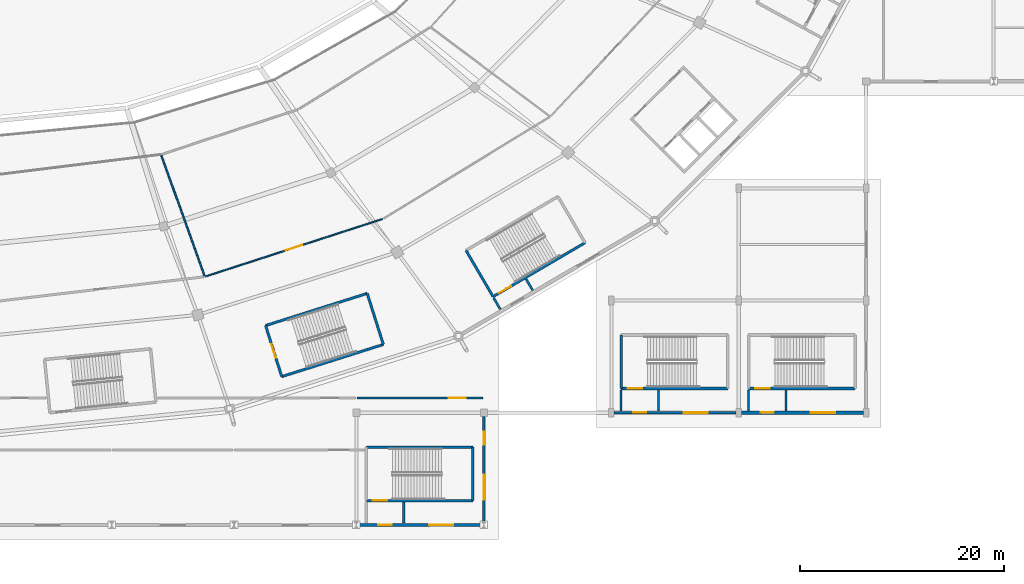
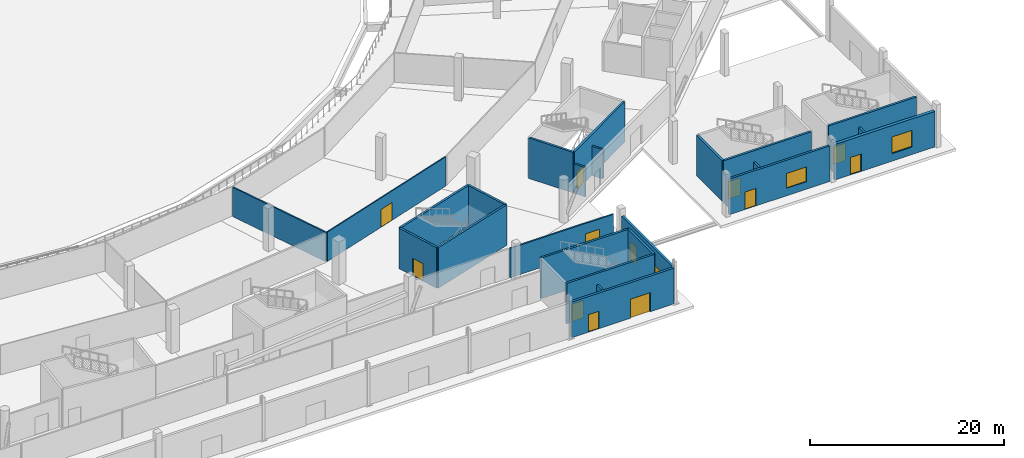
# One storey, part 43 of 82: 26 walls, 13 doors, 2 windows, 15 openings.
"""IFC4 building model written with IfcOpenShell, lengths in metres."""

import ifcopenshell
import ifcopenshell.guid

model = None  # the IFC model being written
_history = None  # IfcOwnerHistory: only IFC2X3 demands one
_inside = {}  # id of a spatial element -> (the spatial element, [elements in it])
_under = {}  # id of a project, library or spatial element -> (it, [spatial elements below it])
_declared = {}  # id of a project -> (the project, [libraries it declares])
_typed = {}  # id of a type object -> (the type object, [elements of that type])
_made_of = {}  # id of a material, layer set ... -> (it, [elements and type objects made of it])


def new_model(schema):
    """Start an empty IFC model of exactly this schema.

    Asked for "IFC4X3", IfcOpenShell would pick the latest addendum, in which some entities
    have other attributes; the version numbers below select the first issue.
    IFC2X3 requires an IfcOwnerHistory on every rooted entity: one is made here for all.
    """
    global model, _history
    if schema == "IFC4X3":
        model = ifcopenshell.file(schema_version=(4, 3, 0, 0))
    else:
        model = ifcopenshell.file(schema=schema)
    _inside.clear()
    _under.clear()
    _declared.clear()
    _typed.clear()
    _made_of.clear()
    _history = None
    if model.schema == "IFC2X3":
        org = make("IfcOrganization", Name="unknown")
        user = make(
            "IfcPersonAndOrganization",
            ThePerson=make("IfcPerson", FamilyName="unknown"),
            TheOrganization=org,
        )
        app = make(
            "IfcApplication",
            ApplicationDeveloper=org,
            Version="unknown",
            ApplicationFullName="unknown",
            ApplicationIdentifier="unknown",
        )
        _history = make(
            "IfcOwnerHistory",
            OwningUser=user,
            OwningApplication=app,
            ChangeAction="ADDED",
            CreationDate=0,
        )
    return model


def make(cls, **values):
    """One entity of the class cls with the attributes given. An attribute that is None is left unset."""
    return model.create_entity(
        cls, **{name: value for name, value in values.items() if value is not None}
    )


def rooted(cls, **values):
    """An entity with a GlobalId (a new one), such as an element, a storey or a relation."""
    return make(cls, GlobalId=ifcopenshell.guid.new(), OwnerHistory=_history, **values)


def si_unit(unit_type, name, prefix=None):
    """IfcSIUnit, for example si_unit("LENGTHUNIT", "METRE", prefix="MILLI")."""
    return make("IfcSIUnit", UnitType=unit_type, Prefix=prefix, Name=name)


def assignment(units):
    """IfcUnitAssignment: the units of a project."""
    return None if units is None else make("IfcUnitAssignment", Units=units)


def point(xyz):
    """IfcCartesianPoint."""
    return None if xyz is None else make("IfcCartesianPoint", Coordinates=xyz)


def direction(xyz):
    """IfcDirection."""
    return None if xyz is None else make("IfcDirection", DirectionRatios=xyz)


def frame(location, z_axis=None, x_axis=None):
    """IfcAxis2Placement3D, a coordinate frame: its origin and axes. An axis left out is left unset."""
    return make(
        "IfcAxis2Placement3D",
        Location=point(location),
        Axis=direction(z_axis),
        RefDirection=direction(x_axis),
    )


def frame_2d(location, x_axis=None):
    """IfcAxis2Placement2D, a coordinate frame in the plane: its origin and x axis."""
    return make(
        "IfcAxis2Placement2D", Location=point(location), RefDirection=direction(x_axis)
    )


def origin():
    """The frame at (0, 0, 0) with its axes left unset."""
    return frame((0.0, 0.0, 0.0))


def place(relative_to, where):
    """IfcLocalPlacement: puts the frame where relative to a parent placement (None: the world)."""
    return make(
        "IfcLocalPlacement", PlacementRelTo=relative_to, RelativePlacement=where
    )


def context(
    kind, dimensions, precision=None, world=None, true_north=None, identifier=None
):
    """IfcGeometricRepresentationContext, for example the 3D "Model" context."""
    return make(
        "IfcGeometricRepresentationContext",
        ContextIdentifier=identifier,
        ContextType=kind,
        CoordinateSpaceDimension=dimensions,
        Precision=precision,
        WorldCoordinateSystem=world,
        TrueNorth=true_north,
    )


def subcontext(parent, identifier, kind, view, scale=None):
    """IfcGeometricRepresentationSubContext, for example "Body" below "Model"."""
    return make(
        "IfcGeometricRepresentationSubContext",
        ContextIdentifier=identifier,
        ContextType=kind,
        ParentContext=parent,
        TargetScale=scale,
        TargetView=view,
    )


def project(units=None, contexts=None):
    """IfcProject with its units and contexts."""
    return rooted(
        "IfcProject",
        Name="project",
        RepresentationContexts=contexts,
        UnitsInContext=assignment(units),
    )


def spatial(cls, under=None, at=None, **own):
    """A site, building, storey or space (cls), placed at a placement, below another one or the project."""
    s = rooted(cls, ObjectPlacement=at, **own)
    if under is not None:
        _under.setdefault(under.id(), (under, []))[1].append(s)
    return s


def profile(cls, at=None, kind="AREA", **sizes):
    """A parametric profile (cls). Its sizes go by their IFC names, for example OverallWidth=200.0."""
    return make(cls, ProfileType=kind, Position=at, **sizes)


def rectangle(**sizes):
    """IfcRectangleProfileDef."""
    return profile("IfcRectangleProfileDef", **sizes)


def extrude(swept, where, along, depth):
    """IfcExtrudedAreaSolid: the profile swept, set in the frame where, extruded along a direction by depth."""
    return make(
        "IfcExtrudedAreaSolid",
        SweptArea=swept,
        Position=where,
        ExtrudedDirection=direction(along),
        Depth=depth,
    )


def shape(context_of_items, identifier, shape_type, items):
    """IfcShapeRepresentation: the items that make up one representation, for example the "Body"."""
    return make(
        "IfcShapeRepresentation",
        ContextOfItems=context_of_items,
        RepresentationIdentifier=identifier,
        RepresentationType=shape_type,
        Items=items,
    )


def material(Name=None, Category=None):
    """IfcMaterial."""
    return make("IfcMaterial", Name=Name, Category=Category)


def layer(
    of_material, thickness, ventilated=None, Name=None, Category=None, Priority=None
):
    """IfcMaterialLayer: one layer of a wall or slab, of a material (None: an air gap)."""
    return make(
        "IfcMaterialLayer",
        Material=of_material,
        LayerThickness=thickness,
        IsVentilated=ventilated,
        Name=Name,
        Category=Category,
        Priority=Priority,
    )


def layer_set(layers, Name=None):
    """IfcMaterialLayerSet."""
    return make("IfcMaterialLayerSet", MaterialLayers=layers, LayerSetName=Name)


def made_of(thing, what):
    """Note that an element or type object is made of a material, layer set ...; save() writes the relation."""
    if what is not None:
        _made_of.setdefault(what.id(), (what, []))[1].append(thing)
    return thing


def type_object(cls, material=None, **own):
    """A type object (cls), such as IfcWallType, which elements share."""
    return made_of(rooted(cls, **own), material)


def element(
    cls,
    number,
    at=None,
    inside=None,
    cuts=None,
    type_object=None,
    material=None,
    context=None,
    identifier="Body",
    shape_type=None,
    held_by="IfcProductDefinitionShape",
    body=None,
    shapes=None,
    **own,
):
    """One element of the class cls, such as IfcWall. Its Tag is "e" and its number.

    at: its placement. inside: the storey or other place that contains it. cuts: it is an
    opening in that element (IfcRelVoidsElement). A single representation is given by context,
    identifier, shape_type and body (its items); several are given by shapes. held_by: the class
    of the entity that holds the representations. save() writes the other relations.
    """
    e = rooted(cls, Tag="e%d" % number, ObjectPlacement=at, **own)
    if body is not None:
        shapes = [shape(context, identifier, shape_type, body)]
    if shapes is not None:
        e.Representation = make(held_by, Representations=shapes)
    if inside is not None:
        _inside.setdefault(inside.id(), (inside, []))[1].append(e)
    if cuts is not None:
        rooted(
            "IfcRelVoidsElement", RelatingBuildingElement=cuts, RelatedOpeningElement=e
        )
    if type_object is not None:
        _typed.setdefault(type_object.id(), (type_object, []))[1].append(e)
    return made_of(e, material)


def fill(opening, filler):
    """IfcRelFillsElement: the door or window that sits in an opening."""
    return rooted(
        "IfcRelFillsElement",
        RelatingOpeningElement=opening,
        RelatedBuildingElement=filler,
    )


def aggregate(whole, parts):
    """IfcRelAggregates: a whole, such as a stair, and the parts it consists of."""
    return rooted("IfcRelAggregates", RelatingObject=whole, RelatedObjects=parts)


def save(model, path):
    """Write the relations noted so far, then the file.

    IfcRelAggregates (storeys below a building ...), IfcRelContainedInSpatialStructure (elements
    in a storey), IfcRelDefinesByType, IfcRelAssociatesMaterial and IfcRelDeclares: one each for
    every whole, place, type object, material and project.
    """
    for whole, parts in _under.values():
        aggregate(whole, parts)
    for where, things in _inside.values():
        rooted(
            "IfcRelContainedInSpatialStructure",
            RelatedElements=things,
            RelatingStructure=where,
        )
    for kind, things in _typed.values():
        rooted("IfcRelDefinesByType", RelatedObjects=things, RelatingType=kind)
    for what, things in _made_of.values():
        rooted("IfcRelAssociatesMaterial", RelatedObjects=things, RelatingMaterial=what)
    for by, libraries in _declared.values():
        rooted("IfcRelDeclares", RelatingContext=by, RelatedDefinitions=libraries)
    model.write(path)


model = new_model("IFC4")

# Units and contexts
model_context = context("Model", 3, precision=1e-05, world=origin(), true_north=direction((0.0, 1.0)))
body_context = subcontext(model_context, "Body", "Model", "MODEL_VIEW")
ifc_project = project(units=[si_unit("LENGTHUNIT", "METRE"), si_unit("AREAUNIT", "SQUARE_METRE"), si_unit("VOLUMEUNIT", "CUBIC_METRE"), si_unit("PLANEANGLEUNIT", "RADIAN"), si_unit("MASSUNIT", "GRAM", prefix="KILO")], contexts=[model_context])

# Site, building, storey
site_placement = place(None, origin())
site = spatial("IfcSite", under=ifc_project, at=site_placement, CompositionType="ELEMENT")
building_placement = place(site_placement, origin())
building = spatial("IfcBuilding", under=site, at=building_placement, Name="Zlatoyarsky Gate Stadium", CompositionType="ELEMENT")
storey_placement = place(building_placement, origin())
storey = spatial("IfcBuildingStorey", under=building, at=storey_placement, Name="L00", CompositionType="ELEMENT", Elevation=0.0)

# Wall
ifc_material_1 = material(Name="Concrete C40/50", Category="concrete")
ifc_layer_1 = layer(ifc_material_1, 0.25)
ifc_layer_set_1 = layer_set([ifc_layer_1], Name="Concrete C40/50")
wall_type_1 = type_object("IfcWallType", Name="CONCRETE STAIR CORE SHEAR WALL 250", PredefinedType="SHEAR", material=ifc_layer_set_1)
wall_1_placement = place(storey_placement, frame((158.25341796875, 26.916015625, 0.0), z_axis=(0.0, 0.0, 1.0), x_axis=(0.505460490551, -0.862849750821, 0.0)))
element("IfcWall", 1, at=wall_1_placement, inside=storey, type_object=wall_type_1, Name="ST-11 L00 stair core entrance shear wall", PredefinedType="SHEAR", context=body_context, shape_type="SweptSolid", body=[
    extrude(rectangle(XDim=5.249755859375, YDim=0.25, at=frame_2d((2.625, 0.0))), origin(), (0.0, 0.0, 1.0), 5.10009765625),
])

# Wall, opening, door
wall_2_placement = place(storey_placement, frame((160.906982421875, 22.38623046875, 0.0), z_axis=(0.0, 0.0, 1.0), x_axis=(0.862854686184, 0.505452065513, 0.0)))
wall_2 = element("IfcWall", 2, at=wall_2_placement, inside=storey, type_object=wall_type_1, Name="ST-11 L00 stair core left shear wall", PredefinedType="SHEAR", context=body_context, shape_type="SweptSolid", body=[
    extrude(rectangle(XDim=10.449951171875, YDim=0.25, at=frame_2d((5.22509765625, 0.0))), origin(), (0.0, 0.0, 1.0), 5.10009765625),
])
opening_1_placement = place(wall_2_placement, frame((0.64990234375, 0.0, 0.0)))
opening_1 = element("IfcOpeningElement", 3, at=opening_1_placement, cuts=wall_2, Name="Opening SD-ST-11-L00", PredefinedType="OPENING", context=body_context, shape_type="SweptSolid", body=[
    extrude(rectangle(XDim=1.39990234375, YDim=2.199951171875, at=frame_2d((0.699951171875, 1.10009765625))), frame((0.0, 0.135009765625, 0.0), z_axis=(0.0, -1.0, 0.0), x_axis=(1.0, 0.0, 0.0)), (0.0, 0.0, 1.0), 0.27001953125),
])
ifc_material_2 = material(Name="Powder-coated steel fire door", Category="steel")
door_type_1 = type_object("IfcDoorType", Name="STAIR CORE FIRE EXIT DOOR 1400X2200", OperationType="NOTDEFINED", PredefinedType="DOOR", material=ifc_material_2)
door_1_placement = place(opening_1_placement, frame((1.39990234375, 0.0, 0.0), z_axis=(0.0, 0.0, 1.0), x_axis=(-1.0, 0.0, 0.0)))
door_1 = element("IfcDoor", 4, at=door_1_placement, inside=storey, type_object=door_type_1, Name="ST-11 L00 protected exit discharge fire door", OperationType="SINGLE_SWING_RIGHT", OverallHeight=2.199951171875, OverallWidth=1.39990234375, PredefinedType="DOOR", context=body_context, shape_type="SweptSolid", body=[
    extrude(rectangle(XDim=1.39990234375, YDim=2.199951171875, at=frame_2d((0.699951171875, 1.10009765625))), frame((0.0, 0.02490234375, 0.0), z_axis=(0.0, -1.0, 0.0), x_axis=(1.0, 0.0, 0.0)), (0.0, 0.0, 1.0), 0.050048828125),
])
fill(opening_1, door_1)

wall_3_placement = place(storey_placement, frame((138.599609375, 19.5478515625, 0.0), z_axis=(0.0, 0.0, 1.0), x_axis=(0.30152749866, -0.953457480726, 0.0)))
wall_3 = element("IfcWall", 5, at=wall_3_placement, inside=storey, type_object=wall_type_1, Name="ST-16 L00 stair core entrance shear wall", PredefinedType="SHEAR", context=body_context, shape_type="SweptSolid", body=[
    extrude(rectangle(XDim=5.25, YDim=0.25, at=frame_2d((2.625, 0.0))), origin(), (0.0, 0.0, 1.0), 5.10009765625),
])
opening_2_placement = place(wall_3_placement, frame((1.925048828125, 0.0, 0.0)))
opening_2 = element("IfcOpeningElement", 6, at=opening_2_placement, cuts=wall_3, Name="Opening SD-ST-16-L00", PredefinedType="OPENING", context=body_context, shape_type="SweptSolid", body=[
    extrude(rectangle(XDim=1.39990234375, YDim=2.199951171875, at=frame_2d((0.699951171875, 1.10009765625))), frame((0.0, 0.135009765625, 0.0), z_axis=(0.0, -1.0, 0.0), x_axis=(1.0, 0.0, 0.0)), (0.0, 0.0, 1.0), 0.27001953125),
])
door_2_placement = place(opening_2_placement, frame((1.39990234375, 0.0, 0.0), z_axis=(0.0, 0.0, 1.0), x_axis=(-1.0, 0.0, 0.0)))
door_2 = element("IfcDoor", 7, at=door_2_placement, inside=storey, type_object=door_type_1, Name="ST-16 L00 stair fire door", OperationType="SINGLE_SWING_RIGHT", OverallHeight=2.199951171875, OverallWidth=1.39990234375, PredefinedType="DOOR", context=body_context, shape_type="SweptSolid", body=[
    extrude(rectangle(XDim=1.39990234375, YDim=2.199951171875, at=frame_2d((0.699951171875, 1.10009765625))), frame((0.0, 0.02490234375, 0.0), z_axis=(0.0, -1.0, 0.0), x_axis=(1.0, 0.0, 0.0)), (0.0, 0.0, 1.0), 0.050048828125),
])
fill(opening_2, door_2)

# Walls
wall_4_placement = place(storey_placement, frame((140.1826171875, 14.542236328125, 0.0), z_axis=(0.0, 0.0, 1.0), x_axis=(0.953459710305, 0.301520448438, 0.0)))
element("IfcWall", 8, at=wall_4_placement, inside=storey, type_object=wall_type_1, Name="ST-16 L00 stair core left shear wall", PredefinedType="SHEAR", context=body_context, shape_type="SweptSolid", body=[
    extrude(rectangle(XDim=10.449951171875, YDim=0.25, at=frame_2d((5.22509765625, 0.0))), origin(), (0.0, 0.0, 1.0), 5.10009765625),
])
wall_5_placement = place(storey_placement, frame((150.146240234375, 17.693115234375, 0.0), z_axis=(0.0, 0.0, 1.0), x_axis=(-0.30152749866, 0.953457480726, 0.0)))
element("IfcWall", 9, at=wall_5_placement, inside=storey, type_object=wall_type_1, Name="ST-16 L00 stair core far shear wall", PredefinedType="SHEAR", context=body_context, shape_type="SweptSolid", body=[
    extrude(rectangle(XDim=5.25, YDim=0.25, at=frame_2d((2.625, 0.0))), origin(), (0.0, 0.0, 1.0), 5.10009765625),
])
wall_6_placement = place(storey_placement, frame((148.563232421875, 22.69873046875, 0.0), z_axis=(0.0, 0.0, 1.0), x_axis=(-0.953459710305, -0.301520448438, 0.0)))
element("IfcWall", 10, at=wall_6_placement, inside=storey, type_object=wall_type_1, Name="ST-16 L00 stair core right shear wall", PredefinedType="SHEAR", context=body_context, shape_type="SweptSolid", body=[
    extrude(rectangle(XDim=10.449951171875, YDim=0.25, at=frame_2d((5.22509765625, 0.0))), origin(), (0.0, 0.0, 1.0), 5.10009765625),
])
wall_7_placement = place(storey_placement, frame((173.47509765625, 18.625, 0.0), z_axis=(0.0, 0.0, 1.0), x_axis=(0.0, -1.0, 0.0)))
element("IfcWall", 11, at=wall_7_placement, inside=storey, type_object=wall_type_1, Name="ST-23 L00 stair core entrance shear wall", PredefinedType="SHEAR", context=body_context, shape_type="SweptSolid", body=[
    extrude(rectangle(XDim=5.25, YDim=0.25, at=frame_2d((2.625, 0.0))), origin(), (0.0, 0.0, 1.0), 5.10009765625),
])

# Wall, opening, door
wall_8_placement = place(storey_placement, frame((173.47509765625, 13.375, 0.0), z_axis=(0.0, 0.0, 1.0), x_axis=(1.0, 0.0, 0.0)))
wall_8 = element("IfcWall", 12, at=wall_8_placement, inside=storey, type_object=wall_type_1, Name="ST-23 L00 stair core left shear wall", PredefinedType="SHEAR", context=body_context, shape_type="SweptSolid", body=[
    extrude(rectangle(XDim=10.449951171875, YDim=0.25, at=frame_2d((5.22509765625, 0.0))), origin(), (0.0, 0.0, 1.0), 5.10009765625),
])
opening_3_placement = place(wall_8_placement, frame((0.64990234375, 0.0, 0.0)))
opening_3 = element("IfcOpeningElement", 13, at=opening_3_placement, cuts=wall_8, Name="Opening SD-ST-23-L00", PredefinedType="OPENING", context=body_context, shape_type="SweptSolid", body=[
    extrude(rectangle(XDim=1.39990234375, YDim=2.199951171875, at=frame_2d((0.699951171875, 1.10009765625))), frame((0.0, 0.135009765625, 0.0), z_axis=(0.0, -1.0, 0.0), x_axis=(1.0, 0.0, 0.0)), (0.0, 0.0, 1.0), 0.27001953125),
])
door_3_placement = place(opening_3_placement, frame((1.39990234375, 0.0, 0.0), z_axis=(0.0, 0.0, 1.0), x_axis=(-1.0, 0.0, 0.0)))
door_3 = element("IfcDoor", 14, at=door_3_placement, inside=storey, type_object=door_type_1, Name="ST-23 L00 protected exit discharge fire door", OperationType="SINGLE_SWING_RIGHT", OverallHeight=2.199951171875, OverallWidth=1.39990234375, PredefinedType="DOOR", context=body_context, shape_type="SweptSolid", body=[
    extrude(rectangle(XDim=1.39990234375, YDim=2.199951171875, at=frame_2d((0.699951171875, 1.10009765625))), frame((0.0, 0.02490234375, 0.0), z_axis=(0.0, -1.0, 0.0), x_axis=(1.0, 0.0, 0.0)), (0.0, 0.0, 1.0), 0.050048828125),
])
fill(opening_3, door_3)

wall_9_placement = place(storey_placement, frame((185.97509765625, 13.375, 0.0), z_axis=(0.0, 0.0, 1.0), x_axis=(1.0, 0.0, 0.0)))
wall_9 = element("IfcWall", 15, at=wall_9_placement, inside=storey, type_object=wall_type_1, Name="ST-24 L00 stair core left shear wall", PredefinedType="SHEAR", context=body_context, shape_type="SweptSolid", body=[
    extrude(rectangle(XDim=10.449951171875, YDim=0.25, at=frame_2d((5.22509765625, 0.0))), origin(), (0.0, 0.0, 1.0), 5.10009765625),
])
opening_4_placement = place(wall_9_placement, frame((0.64990234375, 0.0, 0.0)))
opening_4 = element("IfcOpeningElement", 16, at=opening_4_placement, cuts=wall_9, Name="Opening SD-ST-24-L00", PredefinedType="OPENING", context=body_context, shape_type="SweptSolid", body=[
    extrude(rectangle(XDim=1.39990234375, YDim=2.199951171875, at=frame_2d((0.699951171875, 1.10009765625))), frame((0.0, 0.135009765625, 0.0), z_axis=(0.0, -1.0, 0.0), x_axis=(1.0, 0.0, 0.0)), (0.0, 0.0, 1.0), 0.27001953125),
])
door_4_placement = place(opening_4_placement, frame((1.39990234375, 0.0, 0.0), z_axis=(0.0, 0.0, 1.0), x_axis=(-1.0, 0.0, 0.0)))
door_4 = element("IfcDoor", 17, at=door_4_placement, inside=storey, type_object=door_type_1, Name="ST-24 L00 protected exit discharge fire door", OperationType="SINGLE_SWING_LEFT", OverallHeight=2.199951171875, OverallWidth=1.39990234375, PredefinedType="DOOR", context=body_context, shape_type="SweptSolid", body=[
    extrude(rectangle(XDim=1.39990234375, YDim=2.199951171875, at=frame_2d((0.699951171875, 1.10009765625))), frame((0.0, 0.02490234375, 0.0), z_axis=(0.0, -1.0, 0.0), x_axis=(1.0, 0.0, 0.0)), (0.0, 0.0, 1.0), 0.050048828125),
])
fill(opening_4, door_4)

wall_10_placement = place(storey_placement, frame((148.47509765625, 2.375, 0.0), z_axis=(0.0, 0.0, 1.0), x_axis=(1.0, 0.0, 0.0)))
wall_10 = element("IfcWall", 18, at=wall_10_placement, inside=storey, type_object=wall_type_1, Name="ST-30 L00 stair core left shear wall", PredefinedType="SHEAR", context=body_context, shape_type="SweptSolid", body=[
    extrude(rectangle(XDim=10.449951171875, YDim=0.25, at=frame_2d((5.22509765625, 0.0))), origin(), (0.0, 0.0, 1.0), 5.10009765625),
])
opening_5_placement = place(wall_10_placement, frame((0.64990234375, 0.0, 0.0)))
opening_5 = element("IfcOpeningElement", 19, at=opening_5_placement, cuts=wall_10, Name="Opening SD-ST-30-L00", PredefinedType="OPENING", context=body_context, shape_type="SweptSolid", body=[
    extrude(rectangle(XDim=1.39990234375, YDim=2.199951171875, at=frame_2d((0.699951171875, 1.10009765625))), frame((0.0, 0.135009765625, 0.0), z_axis=(0.0, -1.0, 0.0), x_axis=(1.0, 0.0, 0.0)), (0.0, 0.0, 1.0), 0.27001953125),
])
door_5_placement = place(opening_5_placement, frame((1.39990234375, 0.0, 0.0), z_axis=(0.0, 0.0, 1.0), x_axis=(-1.0, 0.0, 0.0)))
door_5 = element("IfcDoor", 20, at=door_5_placement, inside=storey, type_object=door_type_1, Name="ST-30 L00 protected exit discharge fire door", OperationType="SINGLE_SWING_RIGHT", OverallHeight=2.199951171875, OverallWidth=1.39990234375, PredefinedType="DOOR", context=body_context, shape_type="SweptSolid", body=[
    extrude(rectangle(XDim=1.39990234375, YDim=2.199951171875, at=frame_2d((0.699951171875, 1.10009765625))), frame((0.0, 0.02490234375, 0.0), z_axis=(0.0, -1.0, 0.0), x_axis=(1.0, 0.0, 0.0)), (0.0, 0.0, 1.0), 0.050048828125),
])
fill(opening_5, door_5)

# Walls
wall_11_placement = place(storey_placement, frame((158.925048828125, 2.375, 0.0), z_axis=(0.0, 0.0, 1.0), x_axis=(0.0, 1.0, 0.0)))
element("IfcWall", 21, at=wall_11_placement, inside=storey, type_object=wall_type_1, Name="ST-30 L00 stair core far shear wall", PredefinedType="SHEAR", context=body_context, shape_type="SweptSolid", body=[
    extrude(rectangle(XDim=5.25, YDim=0.25, at=frame_2d((2.625, 0.0))), origin(), (0.0, 0.0, 1.0), 5.10009765625),
])
wall_12_placement = place(storey_placement, frame((158.925048828125, 7.625, 0.0), z_axis=(0.0, 0.0, 1.0), x_axis=(-1.0, 0.0, 0.0)))
element("IfcWall", 22, at=wall_12_placement, inside=storey, type_object=wall_type_1, Name="ST-30 L00 stair core right shear wall", PredefinedType="SHEAR", context=body_context, shape_type="SweptSolid", body=[
    extrude(rectangle(XDim=10.449951171875, YDim=0.25, at=frame_2d((5.22509765625, 0.0))), origin(), (0.0, 0.0, 1.0), 5.10009765625),
])
ifc_material_3 = material(Name="Autoclaved aerated concrete masonry EI 120", Category="masonry")
ifc_layer_2 = layer(ifc_material_3, 0.219970703125)
ifc_layer_set_2 = layer_set([ifc_layer_2], Name="Autoclaved aerated concrete masonry EI 120")
wall_type_2 = type_object("IfcWallType", Name="FIREFIGHTING LOBBY RATED WALL 220", PredefinedType="PARTITIONING", material=ifc_layer_set_2)
for number, where, z_axis, x_axis, name in (
    (23, (160.96240234375, 22.26220703125, 0.0), (0.0, 0.0, 1.0), (0.505393167511, -0.862889185373, 0.0), "ST-11 L00 protected exit lobby EI 120 wall 1"),
    (24, (164.1376953125, 24.122314453125, 0.0), (0.0, 0.0, 1.0), (0.505393167511, -0.862889185373, 0.0), "ST-11 L00 protected exit lobby EI 120 wall 2"),
):
    element("IfcWall", number, at=place(storey_placement, frame(where, z_axis=z_axis, x_axis=x_axis)), inside=storey, type_object=wall_type_2, Name=name, PredefinedType="PARTITIONING", context=body_context, shape_type="SweptSolid", body=[
        extrude(rectangle(XDim=1.3056640625, YDim=0.219970703125, at=frame_2d((0.65283203125, 0.0))), origin(), (0.0, 0.0, 1.0), 3.68994140625),
    ])
for number, where, z_axis, x_axis, name in (
    (25, (173.4599609375, 11.18994140625, 0.0), (0.0, 0.0, 1.0), (0.0, 1.0, 0.0), "ST-23 L00 protected exit lobby EI 120 wall 1"),
    (26, (177.139892578125, 11.18994140625, 0.0), (0.0, 0.0, 1.0), (0.0, 1.0, 0.0), "ST-23 L00 protected exit lobby EI 120 wall 2"),
    (27, (185.9599609375, 11.18994140625, 0.0), (0.0, 0.0, 1.0), (0.0, 1.0, 0.0), "ST-24 L00 protected exit lobby EI 120 wall 1"),
    (28, (189.639892578125, 11.18994140625, 0.0), (0.0, 0.0, 1.0), (0.0, 1.0, 0.0), "ST-24 L00 protected exit lobby EI 120 wall 2"),
    (29, (152.139892578125, 0.18994140625, 0.0), (0.0, 0.0, 1.0), (0.0, 1.0, 0.0), "ST-30 L00 protected exit lobby EI 120 wall 2"),
):
    element("IfcWall", number, at=place(storey_placement, frame(where, z_axis=z_axis, x_axis=x_axis)), inside=storey, type_object=wall_type_2, Name=name, PredefinedType="PARTITIONING", context=body_context, shape_type="SweptSolid", body=[
        extrude(rectangle(XDim=2.050048828125, YDim=0.219970703125, at=frame_2d((1.02490234375, 0.0))), origin(), (0.0, 0.0, 1.0), 3.68994140625),
    ])
ifc_material_4 = material(Name="Acoustic metal-stud gypsum partition", Category="gypsum")
ifc_layer_3 = layer(ifc_material_4, 0.159912109375)
ifc_layer_set_3 = layer_set([ifc_layer_3], Name="Acoustic metal-stud gypsum partition")
wall_type_3 = type_object("IfcWallType", Name="HOSPITALITY SUITE PARTITION 160", PredefinedType="PARTITIONING", material=ifc_layer_set_3)
wall_13_placement = place(storey_placement, frame((128.3740234375, 36.236572265625, 0.0), z_axis=(0.0, 0.0, 1.0), x_axis=(0.337646580163, -0.941272960891, 0.0)))
element("IfcWall", 30, at=wall_13_placement, inside=storey, type_object=wall_type_3, Name="L00 interior partition PRT-L00-IRD-19", PredefinedType="PARTITIONING", context=body_context, shape_type="SweptSolid", body=[
    extrude(rectangle(XDim=12.556640625, YDim=0.159912109375, at=frame_2d((6.2783203125, 0.0))), origin(), (0.0, 0.0, 1.0), 3.68994140625),
])

# Wall, openings, doors
ifc_material_5 = material(Name="Precast concrete C40/50 architectural panel", Category="concrete")
ifc_layer_4 = layer(ifc_material_5, 0.280029296875)
ifc_layer_set_4 = layer_set([ifc_layer_4], Name="Precast concrete C40/50 architectural panel")
wall_type_4 = type_object("IfcWallType", Name="INSULATED WING SPANDREL WALL 280", PredefinedType="STANDARD", material=ifc_layer_set_4)
wall_14_placement = place(storey_placement, frame((147.64697265625, 0.0, 0.0), z_axis=(0.0, 0.0, 1.0), x_axis=(1.0, 0.0, 0.0)))
wall_14 = element("IfcWall", 31, at=wall_14_placement, inside=storey, type_object=wall_type_4, Name="V3_SOUTH L00 S exterior wall", PredefinedType="STANDARD", context=body_context, shape_type="SweptSolid", body=[
    extrude(rectangle(XDim=12.2060546875, YDim=0.280029296875, at=frame_2d((6.10302734375, 0.0))), origin(), (0.0, 0.0, 1.0), 4.47998046875),
])
opening_6_placement = place(wall_14_placement, frame((2.0029296875, 0.0, 0.0)))
opening_6 = element("IfcOpeningElement", 32, at=opening_6_placement, cuts=wall_14, Name="Opening ED-ST30", PredefinedType="OPENING", context=body_context, shape_type="SweptSolid", body=[
    extrude(rectangle(XDim=1.300048828125, YDim=2.199951171875, at=frame_2d((0.64990234375, 1.10009765625))), frame((0.0, 0.14990234375, 0.0), z_axis=(0.0, -1.0, 0.0), x_axis=(1.0, 0.0, 0.0)), (0.0, 0.0, 1.0), 0.300048828125),
])
opening_7_placement = place(wall_14_placement, frame((7.0244140625, 0.0, 0.0)))
opening_7 = element("IfcOpeningElement", 33, at=opening_7_placement, cuts=wall_14, Name="Opening G18", PredefinedType="OPENING", context=body_context, shape_type="SweptSolid", body=[
    extrude(rectangle(XDim=2.35009765625, YDim=2.39990234375, at=frame_2d((1.175048828125, 1.199951171875))), frame((0.0, 0.14990234375, 0.0), z_axis=(0.0, -1.0, 0.0), x_axis=(1.0, 0.0, 0.0)), (0.0, 0.0, 1.0), 0.300048828125),
])
ifc_material_6 = material(Name="Thermally broken powder-coated steel and laminated safety glass", Category="steel")
door_type_2 = type_object("IfcDoorType", Name="PEDESTRIAN FINAL EXIT DOUBLE DOOR 2350X2400", OperationType="DOUBLE_DOOR_SINGLE_SWING", PredefinedType="DOOR", material=ifc_material_6)
door_6_placement = place(opening_7_placement, frame((2.35009765625, 0.0, 0.0), z_axis=(0.0, 0.0, 1.0), x_axis=(-1.0, 0.0, 0.0)))
door_6 = element("IfcDoor", 34, at=door_6_placement, inside=storey, type_object=door_type_2, Name="Exterior door G18", OperationType="DOUBLE_DOOR_SINGLE_SWING", OverallHeight=2.39990234375, OverallWidth=2.35009765625, PredefinedType="DOOR", context=body_context, shape_type="SweptSolid", body=[
    extrude(rectangle(XDim=2.35009765625, YDim=2.39990234375, at=frame_2d((1.175048828125, 1.199951171875))), frame((0.0, 0.02490234375, 0.0), z_axis=(0.0, -1.0, 0.0), x_axis=(1.0, 0.0, 0.0)), (0.0, 0.0, 1.0), 0.050048828125),
])
fill(opening_7, door_6)
door_type_3 = type_object("IfcDoorType", Name="STAIR DISCHARGE FIRE EXIT DOOR 1300X2200", OperationType="NOTDEFINED", PredefinedType="DOOR", material=ifc_material_6)
door_7_placement = place(opening_6_placement, frame((1.300048828125, 0.0, 0.0), z_axis=(0.0, 0.0, 1.0), x_axis=(-1.0, 0.0, 0.0)))
door_7 = element("IfcDoor", 35, at=door_7_placement, inside=storey, type_object=door_type_3, Name="Exterior door ED-ST30", OperationType="SINGLE_SWING_RIGHT", OverallHeight=2.199951171875, OverallWidth=1.300048828125, PredefinedType="DOOR", context=body_context, shape_type="SweptSolid", body=[
    extrude(rectangle(XDim=1.300048828125, YDim=2.199951171875, at=frame_2d((0.64990234375, 1.10009765625))), frame((0.0, 0.02490234375, 0.0), z_axis=(0.0, -1.0, 0.0), x_axis=(1.0, 0.0, 0.0)), (0.0, 0.0, 1.0), 0.050048828125),
])
fill(opening_6, door_7)

wall_15_placement = place(storey_placement, frame((160.0, 0.2470703125, 0.0), z_axis=(0.0, 0.0, 1.0), x_axis=(0.0, 1.0, 0.0)))
wall_15 = element("IfcWall", 36, at=wall_15_placement, inside=storey, type_object=wall_type_4, Name="V3_SOUTH L00 E exterior wall", PredefinedType="STANDARD", context=body_context, shape_type="SweptSolid", body=[
    extrude(rectangle(XDim=10.406005859375, YDim=0.280029296875, at=frame_2d((5.203125, 0.0))), origin(), (0.0, 0.0, 1.0), 4.47998046875),
])
opening_8_placement = place(wall_15_placement, frame((7.60009765625, 0.0, 0.0)))
opening_8 = element("IfcOpeningElement", 37, at=opening_8_placement, cuts=wall_15, Name="Opening ED-V3SE", PredefinedType="OPENING", context=body_context, shape_type="SweptSolid", body=[
    extrude(rectangle(XDim=1.300048828125, YDim=2.199951171875, at=frame_2d((0.64990234375, 1.10009765625))), frame((0.0, 0.14990234375, 0.0), z_axis=(0.0, -1.0, 0.0), x_axis=(1.0, 0.0, 0.0)), (0.0, 0.0, 1.0), 0.300048828125),
])
opening_9_placement = place(wall_15_placement, frame((2.199951171875, 0.0, 0.0)))
opening_9 = element("IfcOpeningElement", 38, at=opening_9_placement, cuts=wall_15, Name="Opening G20", PredefinedType="OPENING", context=body_context, shape_type="SweptSolid", body=[
    extrude(rectangle(XDim=2.449951171875, YDim=2.39990234375, at=frame_2d((1.22509765625, 1.199951171875))), frame((0.0, 0.14990234375, 0.0), z_axis=(0.0, -1.0, 0.0), x_axis=(1.0, 0.0, 0.0)), (0.0, 0.0, 1.0), 0.300048828125),
])
door_type_4 = type_object("IfcDoorType", Name="PEDESTRIAN FINAL EXIT DOUBLE DOOR 2450X2400", OperationType="DOUBLE_DOOR_SINGLE_SWING", PredefinedType="DOOR", material=ifc_material_6)
door_8_placement = place(opening_9_placement, frame((2.449951171875, 0.0, 0.0), z_axis=(0.0, 0.0, 1.0), x_axis=(-1.0, 0.0, 0.0)))
door_8 = element("IfcDoor", 39, at=door_8_placement, inside=storey, type_object=door_type_4, Name="Exterior door G20", OperationType="DOUBLE_DOOR_SINGLE_SWING", OverallHeight=2.39990234375, OverallWidth=2.449951171875, PredefinedType="DOOR", context=body_context, shape_type="SweptSolid", body=[
    extrude(rectangle(XDim=2.449951171875, YDim=2.39990234375, at=frame_2d((1.22509765625, 1.199951171875))), frame((0.0, 0.02490234375, 0.0), z_axis=(0.0, -1.0, 0.0), x_axis=(1.0, 0.0, 0.0)), (0.0, 0.0, 1.0), 0.050048828125),
])
fill(opening_9, door_8)
door_9_placement = place(opening_8_placement, frame((1.300048828125, 0.0, 0.0), z_axis=(0.0, 0.0, 1.0), x_axis=(-1.0, 0.0, 0.0)))
door_9 = element("IfcDoor", 40, at=door_9_placement, inside=storey, type_object=door_type_3, Name="Exterior door ED-V3SE", OperationType="SINGLE_SWING_RIGHT", OverallHeight=2.199951171875, OverallWidth=1.300048828125, PredefinedType="DOOR", context=body_context, shape_type="SweptSolid", body=[
    extrude(rectangle(XDim=1.300048828125, YDim=2.199951171875, at=frame_2d((0.64990234375, 1.10009765625))), frame((0.0, 0.02490234375, 0.0), z_axis=(0.0, -1.0, 0.0), x_axis=(1.0, 0.0, 0.0)), (0.0, 0.0, 1.0), 0.050048828125),
])
fill(opening_8, door_9)

# Wall, openings, door, window
ifc_material_7 = material(Name="Limestone-faced insulated masonry wall", Category="masonry")
ifc_layer_5 = layer(ifc_material_7, 0.360107421875)
ifc_layer_set_5 = layer_set([ifc_layer_5], Name="Limestone-faced insulated masonry wall")
wall_type_5 = type_object("IfcWallType", Name="LIMESTONE CLAD CAVITY WALL 360", PredefinedType="STANDARD", material=ifc_layer_set_5)
wall_16_placement = place(storey_placement, frame((185.27197265625, 11.0, 0.0), z_axis=(0.0, 0.0, 1.0), x_axis=(1.0, 0.0, 0.0)))
wall_16 = element("IfcWall", 41, at=wall_16_placement, inside=storey, type_object=wall_type_5, Name="V6_SE L00 S exterior wall", PredefinedType="STANDARD", context=body_context, shape_type="SweptSolid", body=[
    extrude(rectangle(XDim=11.9560546875, YDim=0.360107421875, at=frame_2d((5.97802734375, 0.0))), origin(), (0.0, 0.0, 1.0), 4.47998046875),
])
opening_10_placement = place(wall_16_placement, frame((1.8779296875, 0.0, 0.0)))
opening_10 = element("IfcOpeningElement", 42, at=opening_10_placement, cuts=wall_16, Name="Opening ED-ST24", PredefinedType="OPENING", context=body_context, shape_type="SweptSolid", body=[
    extrude(rectangle(XDim=1.300048828125, YDim=2.199951171875, at=frame_2d((0.64990234375, 1.10009765625))), frame((0.0, 0.18994140625, 0.0), z_axis=(0.0, -1.0, 0.0), x_axis=(1.0, 0.0, 0.0)), (0.0, 0.0, 1.0), 0.380126953125),
])
opening_11_placement = place(wall_16_placement, frame((6.81201171875, 0.0, 0.949951171875)))
opening_11 = element("IfcOpeningElement", 43, at=opening_11_placement, cuts=wall_16, Name="Opening WN-20", PredefinedType="OPENING", context=body_context, shape_type="SweptSolid", body=[
    extrude(rectangle(XDim=2.39990234375, YDim=2.10009765625, at=frame_2d((1.199951171875, 1.050048828125))), frame((0.0, 0.18994140625, 0.0), z_axis=(0.0, -1.0, 0.0), x_axis=(1.0, 0.0, 0.0)), (0.0, 0.0, 1.0), 0.380126953125),
])
door_10_placement = place(opening_10_placement, frame((1.300048828125, 0.0, 0.0), z_axis=(0.0, 0.0, 1.0), x_axis=(-1.0, 0.0, 0.0)))
door_10 = element("IfcDoor", 44, at=door_10_placement, inside=storey, type_object=door_type_3, Name="Exterior door ED-ST24", OperationType="SINGLE_SWING_RIGHT", OverallHeight=2.199951171875, OverallWidth=1.300048828125, PredefinedType="DOOR", context=body_context, shape_type="SweptSolid", body=[
    extrude(rectangle(XDim=1.300048828125, YDim=2.199951171875, at=frame_2d((0.64990234375, 1.10009765625))), frame((0.0, 0.02490234375, 0.0), z_axis=(0.0, -1.0, 0.0), x_axis=(1.0, 0.0, 0.0)), (0.0, 0.0, 1.0), 0.050048828125),
])
fill(opening_10, door_10)
ifc_material_8 = material(Name="Triple-glazed thermally broken aluminium window", Category="aluminium")
window_type_1 = type_object("IfcWindowType", Name="TRIPLE GLAZED ALUMINIUM WINDOW 2400X2100", PartitioningType="SINGLE_PANEL", PredefinedType="WINDOW", material=ifc_material_8)
window_1_placement = place(opening_11_placement, origin())
window_1 = element("IfcWindow", 45, at=window_1_placement, inside=storey, type_object=window_type_1, Name="Exterior window WIN-L00-076", OverallHeight=2.10009765625, OverallWidth=2.39990234375, PartitioningType="SINGLE_PANEL", PredefinedType="WINDOW", context=body_context, shape_type="SweptSolid", body=[
    extrude(rectangle(XDim=2.39990234375, YDim=2.10009765625, at=frame_2d((1.199951171875, 1.050048828125))), frame((0.0, 0.030029296875, 0.0), z_axis=(0.0, -1.0, 0.0), x_axis=(1.0, 0.0, 0.0)), (0.0, 0.0, 1.0), 0.06005859375),
])
fill(opening_11, window_1)

# Wall, opening, door
ifc_material_9 = material(Name="Gypsum-clad mineral wool fire partition", Category="gypsum")
ifc_layer_6 = layer(ifc_material_9, 0.179931640625)
ifc_layer_set_6 = layer_set([ifc_layer_6], Name="Gypsum-clad mineral wool fire partition")
wall_type_6 = type_object("IfcWallType", Name="PLANT AND KITCHEN RATED WALL 180", PredefinedType="PARTITIONING", material=ifc_layer_set_6)
wall_17_placement = place(storey_placement, frame((147.5849609375, 12.449951171875, 0.0), z_axis=(0.0, 0.0, 1.0), x_axis=(1.0, 0.0, 0.0)))
wall_17 = element("IfcWall", 46, at=wall_17_placement, inside=storey, type_object=wall_type_6, Name="L00 interior partition PRT-L00-V3SC-NE3B", PredefinedType="PARTITIONING", context=body_context, shape_type="SweptSolid", body=[
    extrude(rectangle(XDim=12.31005859375, YDim=0.179931640625, at=frame_2d((6.155029296875, 0.0))), origin(), (0.0, 0.0, 1.0), 3.68994140625),
])
opening_12_placement = place(wall_17_placement, frame((8.9599609375, 0.0, 0.0)))
opening_12 = element("IfcOpeningElement", 47, at=opening_12_placement, cuts=wall_17, Name="Opening D-L00-201", PredefinedType="OPENING", context=body_context, shape_type="SweptSolid", body=[
    extrude(rectangle(XDim=1.679931640625, YDim=2.3798828125, at=frame_2d((0.83984375, 1.18994140625))), frame((0.0, 0.099853515625, 0.0), z_axis=(0.0, -1.0, 0.0), x_axis=(1.0, 0.0, 0.0)), (0.0, 0.0, 1.0), 0.199951171875),
])
door_type_5 = type_object("IfcDoorType", Name="ACOUSTIC INTERIOR DOOR 1680X2380", OperationType="NOTDEFINED", PredefinedType="DOOR", material=ifc_material_2)
door_11_placement = place(opening_12_placement, origin())
door_11 = element("IfcDoor", 48, at=door_11_placement, inside=storey, type_object=door_type_5, Name="L00 room door D-L00-201", OperationType="SINGLE_SWING_LEFT", OverallHeight=2.3798828125, OverallWidth=1.679931640625, PredefinedType="DOOR", context=body_context, shape_type="SweptSolid", body=[
    extrude(rectangle(XDim=1.679931640625, YDim=2.3798828125, at=frame_2d((0.83984375, 1.18994140625))), frame((0.0, 0.02490234375, 0.0), z_axis=(0.0, -1.0, 0.0), x_axis=(1.0, 0.0, 0.0)), (0.0, 0.0, 1.0), 0.050048828125),
])
fill(opening_12, door_11)

# Wall, openings, door, window
ifc_layer_7 = layer(ifc_material_7, 0.260009765625)
ifc_layer_set_7 = layer_set([ifc_layer_7], Name="Limestone-faced insulated masonry wall")
wall_type_7 = type_object("IfcWallType", Name="PORTICO COLONNADE PLINTH WALL 260", PredefinedType="STANDARD", material=ifc_layer_set_7)
wall_18_placement = place(storey_placement, frame((172.77197265625, 11.0, 0.0), z_axis=(0.0, 0.0, 1.0), x_axis=(1.0, 0.0, 0.0)))
wall_18 = element("IfcWall", 49, at=wall_18_placement, inside=storey, type_object=wall_type_7, Name="V6_SE L00 S exterior wall", PredefinedType="STANDARD", context=body_context, shape_type="SweptSolid", body=[
    extrude(rectangle(XDim=11.9560546875, YDim=0.260009765625, at=frame_2d((5.97802734375, 0.0))), origin(), (0.0, 0.0, 1.0), 4.47998046875),
])
opening_13_placement = place(wall_18_placement, frame((1.8779296875, 0.0, 0.0)))
opening_13 = element("IfcOpeningElement", 50, at=opening_13_placement, cuts=wall_18, Name="Opening ED-ST23", PredefinedType="OPENING", context=body_context, shape_type="SweptSolid", body=[
    extrude(rectangle(XDim=1.300048828125, YDim=2.199951171875, at=frame_2d((0.64990234375, 1.10009765625))), frame((0.0, 0.139892578125, 0.0), z_axis=(0.0, -1.0, 0.0), x_axis=(1.0, 0.0, 0.0)), (0.0, 0.0, 1.0), 0.280029296875),
])
opening_14_placement = place(wall_18_placement, frame((6.81201171875, 0.0, 0.949951171875)))
opening_14 = element("IfcOpeningElement", 51, at=opening_14_placement, cuts=wall_18, Name="Opening WN-19", PredefinedType="OPENING", context=body_context, shape_type="SweptSolid", body=[
    extrude(rectangle(XDim=2.39990234375, YDim=1.85009765625, at=frame_2d((1.199951171875, 0.925048828125))), frame((0.0, 0.139892578125, 0.0), z_axis=(0.0, -1.0, 0.0), x_axis=(1.0, 0.0, 0.0)), (0.0, 0.0, 1.0), 0.280029296875),
])
door_12_placement = place(opening_13_placement, frame((1.300048828125, 0.0, 0.0), z_axis=(0.0, 0.0, 1.0), x_axis=(-1.0, 0.0, 0.0)))
door_12 = element("IfcDoor", 52, at=door_12_placement, inside=storey, type_object=door_type_3, Name="Exterior door ED-ST23", OperationType="SINGLE_SWING_LEFT", OverallHeight=2.199951171875, OverallWidth=1.300048828125, PredefinedType="DOOR", context=body_context, shape_type="SweptSolid", body=[
    extrude(rectangle(XDim=1.300048828125, YDim=2.199951171875, at=frame_2d((0.64990234375, 1.10009765625))), frame((0.0, 0.02490234375, 0.0), z_axis=(0.0, -1.0, 0.0), x_axis=(1.0, 0.0, 0.0)), (0.0, 0.0, 1.0), 0.050048828125),
])
fill(opening_13, door_12)
window_type_2 = type_object("IfcWindowType", Name="TRIPLE GLAZED ALUMINIUM WINDOW 2400X1850", PartitioningType="SINGLE_PANEL", PredefinedType="WINDOW", material=ifc_material_8)
window_2_placement = place(opening_14_placement, origin())
window_2 = element("IfcWindow", 53, at=window_2_placement, inside=storey, type_object=window_type_2, Name="Exterior window WIN-L00-075", OverallHeight=1.85009765625, OverallWidth=2.39990234375, PartitioningType="SINGLE_PANEL", PredefinedType="WINDOW", context=body_context, shape_type="SweptSolid", body=[
    extrude(rectangle(XDim=2.39990234375, YDim=1.85009765625, at=frame_2d((1.199951171875, 0.925048828125))), frame((0.0, 0.030029296875, 0.0), z_axis=(0.0, -1.0, 0.0), x_axis=(1.0, 0.0, 0.0)), (0.0, 0.0, 1.0), 0.06005859375),
])
fill(opening_14, window_2)

# Wall, opening, door
ifc_material_10 = material(Name="Moisture-resistant tile-backed partition", Category="gypsum")
ifc_layer_8 = layer(ifc_material_10, 0.1298828125)
ifc_layer_set_8 = layer_set([ifc_layer_8], Name="Moisture-resistant tile-backed partition")
wall_type_8 = type_object("IfcWallType", Name="SANITARY WET ROOM PARTITION 130", PredefinedType="PARTITIONING", material=ifc_layer_set_8)
wall_19_placement = place(storey_placement, frame((132.72314453125, 24.363525390625, 0.0), z_axis=(0.0, 0.0, 1.0), x_axis=(0.950997734074, 0.309197848936, 0.0)))
wall_19 = element("IfcWall", 54, at=wall_19_placement, inside=storey, type_object=wall_type_8, Name="L00 interior partition PRT-L00-ICC-19", PredefinedType="PARTITIONING", context=body_context, shape_type="SweptSolid", body=[
    extrude(rectangle(XDim=18.223876953125, YDim=0.1298828125, at=frame_2d((9.11181640625, 0.0))), origin(), (0.0, 0.0, 1.0), 3.68994140625),
])
opening_15_placement = place(wall_19_placement, frame((8.27197265625, 0.0, 0.0)))
opening_15 = element("IfcOpeningElement", 55, at=opening_15_placement, cuts=wall_19, Name="Opening D-L00-174", PredefinedType="OPENING", context=body_context, shape_type="SweptSolid", body=[
    extrude(rectangle(XDim=1.679931640625, YDim=2.239990234375, at=frame_2d((0.83984375, 1.1201171875))), frame((0.0, 0.074951171875, 0.0), z_axis=(0.0, -1.0, 0.0), x_axis=(1.0, 0.0, 0.0)), (0.0, 0.0, 1.0), 0.14990234375),
])
ifc_material_11 = material(Name="Solid-core oak veneer acoustic door", Category="wood")
door_type_6 = type_object("IfcDoorType", Name="ACOUSTIC INTERIOR DOOR 1680X2240", OperationType="NOTDEFINED", PredefinedType="DOOR", material=ifc_material_11)
door_13_placement = place(opening_15_placement, origin())
door_13 = element("IfcDoor", 56, at=door_13_placement, inside=storey, type_object=door_type_6, Name="L00 room door D-L00-174", OperationType="SINGLE_SWING_RIGHT", OverallHeight=2.239990234375, OverallWidth=1.679931640625, PredefinedType="DOOR", context=body_context, shape_type="SweptSolid", body=[
    extrude(rectangle(XDim=1.679931640625, YDim=2.239990234375, at=frame_2d((0.83984375, 1.1201171875))), frame((0.0, 0.02490234375, 0.0), z_axis=(0.0, -1.0, 0.0), x_axis=(1.0, 0.0, 0.0)), (0.0, 0.0, 1.0), 0.050048828125),
])
fill(opening_15, door_13)

save(model, "model.ifc")
